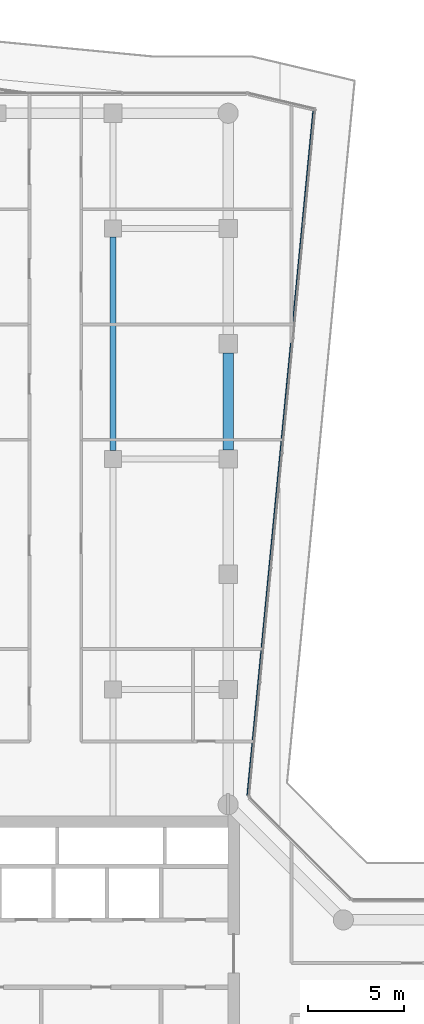
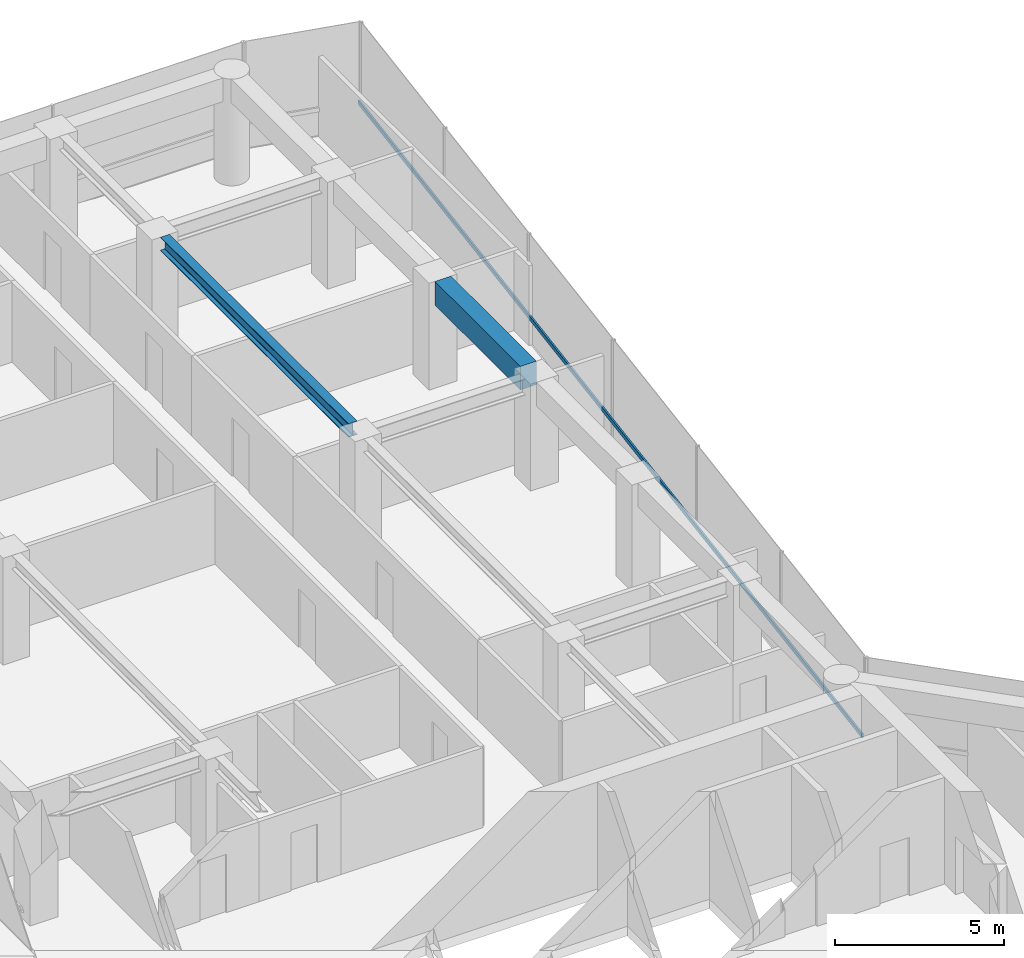
# One storey, part 14 of 23: 2 beams, 1 member, 1 element without a shape of its own.
"""IFC4 building model written with IfcOpenShell, lengths in metres."""

from ifc_helpers import new_model, si_unit, direction, frame, origin, origin_2d, place, context, subcontext, project, spatial, rectangle, i_section, extrude, material, layer, layer_set, material_profile, profile_set, type_object, element, aggregate, save


model = new_model("IFC4")

# Units and contexts
model_context = context("Model", 3, precision=1e-05, world=origin(), true_north=direction((0.0, 1.0)))
body_context = subcontext(model_context, "Body", "Model", "MODEL_VIEW")
ifc_project = project(units=[si_unit("LENGTHUNIT", "METRE"), si_unit("AREAUNIT", "SQUARE_METRE"), si_unit("VOLUMEUNIT", "CUBIC_METRE"), si_unit("PLANEANGLEUNIT", "RADIAN"), si_unit("MASSUNIT", "GRAM", prefix="KILO")], contexts=[model_context])

# Site, building, storey
site_placement = place(None, origin())
site = spatial("IfcSite", under=ifc_project, at=site_placement, CompositionType="ELEMENT")
building_placement = place(site_placement, origin())
building = spatial("IfcBuilding", under=site, at=building_placement, Name="Welwitschia Terrace Campus", CompositionType="ELEMENT")
storey_placement = place(building_placement, frame((0.0, 0.0, 146.60009765625)))
storey = spatial("IfcBuildingStorey", under=building, at=storey_placement, Name="L32", CompositionType="ELEMENT", Elevation=146.60009765625)

# Beams
ifc_material_1 = material(Name="Steel S355", Category="steel")
ifc_material_profile_1 = material_profile(ifc_material_1, i_section(OverallWidth=0.300048828125, OverallDepth=0.489990234375, WebThickness=0.011962890625, FlangeThickness=0.02294921875, FilletRadius=0.027099609375, at=origin_2d()))
ifc_profile_set_1 = profile_set([ifc_material_profile_1], Name="Steel S355")
beam_type_1 = type_object("IfcBeamType", Name="Interior girder HE 500 A", PredefinedType="BEAM", material=ifc_profile_set_1)
beam_1_placement = place(storey_placement, frame((18.0, 44.450439453125, 3.60498046875), z_axis=(0.0, 1.0, 0.0), x_axis=(-1.0, 0.0, 0.0)))
element("IfcBeam", 1, at=beam_1_placement, inside=storey, type_object=beam_type_1, Name="Girder GB4", PredefinedType="BEAM", context=body_context, shape_type="SweptSolid", body=[
    extrude(i_section(OverallWidth=0.300048828125, OverallDepth=0.489990234375, WebThickness=0.011962890625, FlangeThickness=0.02294921875, FilletRadius=0.027099609375, at=origin_2d()), origin(), (0.0, 0.0, 1.0), 11.09912109375),
])
ifc_material_2 = material(Name="Concrete C50/60", Category="concrete")
ifc_material_profile_2 = material_profile(ifc_material_2, rectangle(XDim=0.550048828125, YDim=0.85009765625, at=origin_2d()))
ifc_profile_set_2 = profile_set([ifc_material_profile_2], Name="Concrete C50/60")
beam_type_2 = type_object("IfcBeamType", Name="Ring spandrel 550x850", PredefinedType="SPANDREL", material=ifc_profile_set_2)
beam_2_placement = place(storey_placement, frame((24.0, 44.4755859375, 3.4248046875), z_axis=(0.0, 1.0, 0.0), x_axis=(-1.0, 0.0, 0.0)))
element("IfcBeam", 2, at=beam_2_placement, inside=storey, type_object=beam_type_2, Name="Spandrel SP3", PredefinedType="SPANDREL", context=body_context, shape_type="SweptSolid", body=[
    extrude(rectangle(XDim=0.550048828125, YDim=0.85009765625, at=origin_2d()), origin(), (0.0, 0.0, 1.0), 5.048828125),
])

# Curtain wall, member
ifc_material_3 = material(Name="Bronze anodised aluminium", Category="aluminium")
ifc_layer = layer(ifc_material_3, 0.1201171875)
ifc_layer_set = layer_set([ifc_layer], Name="Bronze anodised aluminium")
curtain_wall_type = type_object("IfcCurtainWallType", Name="Curtain wall CW2 tower 6000", PredefinedType="NOTDEFINED", material=ifc_layer_set)
curtain_wall_placement = place(storey_placement, origin())
curtain_wall = element("IfcCurtainWall", 3, at=curtain_wall_placement, inside=storey, type_object=curtain_wall_type, Name="CW L32.12.0", PredefinedType="NOTDEFINED")
ifc_material_4 = material(Name="Bronze anodised aluminium", Category="aluminium")
ifc_material_profile_3 = material_profile(ifc_material_4, rectangle(XDim=0.06005859375, YDim=0.14990234375, at=origin_2d()))
ifc_profile_set_3 = profile_set([ifc_material_profile_3], Name="Bronze anodised aluminium")
member_type = type_object("IfcMemberType", Name="Transom 60x150", PredefinedType="USERDEFINED", material=ifc_profile_set_3)
member_placement = place(storey_placement, frame((25.002197265625, 26.478759765625, 1.0), z_axis=(0.095841608744, 0.995396597359, 0.0), x_axis=(-0.995396597359, 0.095841608744, 0.0)))
member = element("IfcMember", 4, at=member_placement, type_object=member_type, Name="Transom L32.12.0", ObjectType="TRANSOM", PredefinedType="USERDEFINED", context=body_context, shape_type="SweptSolid", body=[
    extrude(rectangle(XDim=0.06005859375, YDim=0.14990234375, at=origin_2d()), origin(), (0.0, 0.0, 1.0), 35.861328125),
])
aggregate(curtain_wall, [member])

save(model, "model.ifc")
